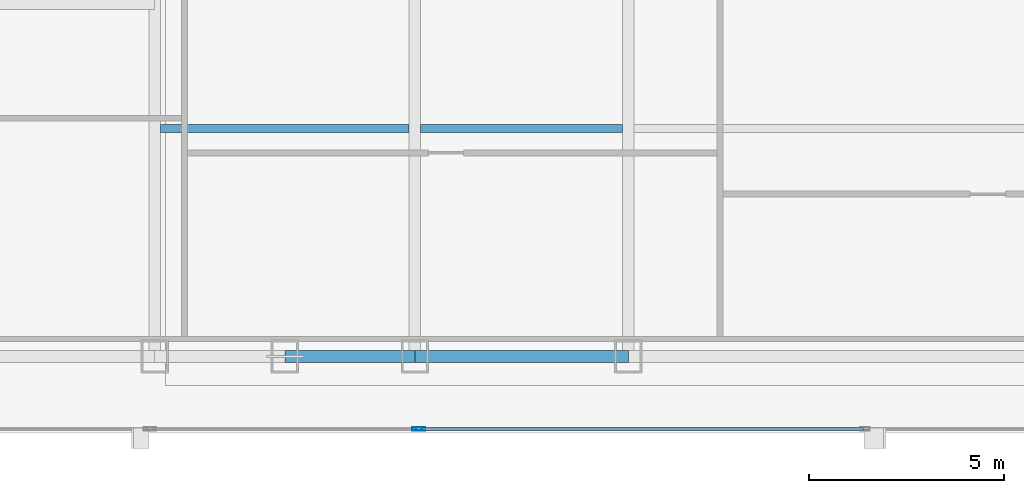
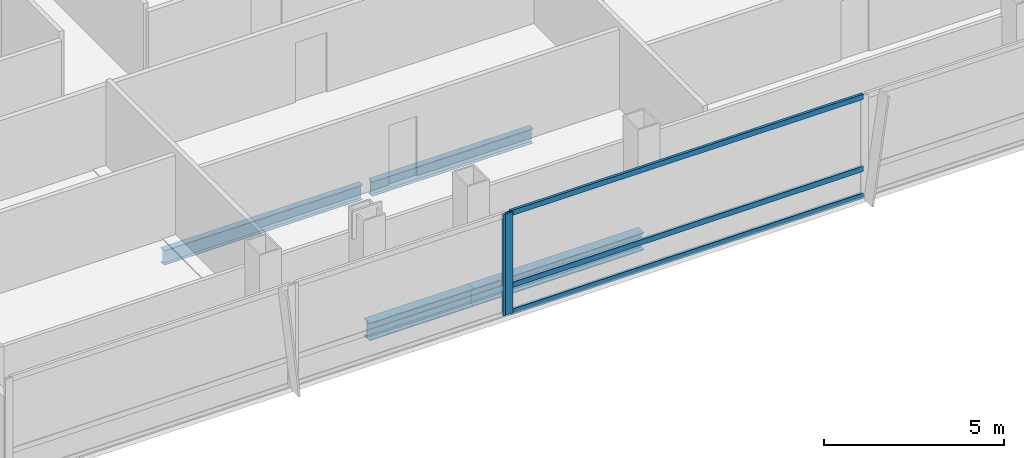
# One storey, part 8 of 29: 5 members, 4 beams, 2 elements without a shape of their own.
"""IFC4 building model written with IfcOpenShell, lengths in metres."""

from ifc_helpers import new_model, si_unit, direction, frame, origin, origin_2d, place, context, subcontext, project, spatial, hollow_rectangle, i_section, extrude, material, material_profile, profile_set, type_object, element, aggregate, save


model = new_model("IFC4")

# Units and contexts
model_context = context("Model", 3, precision=1e-05, world=origin(), true_north=direction((0.0, 1.0)))
body_context = subcontext(model_context, "Body", "Model", "MODEL_VIEW")
ifc_project = project(units=[si_unit("LENGTHUNIT", "METRE"), si_unit("AREAUNIT", "SQUARE_METRE"), si_unit("VOLUMEUNIT", "CUBIC_METRE"), si_unit("PLANEANGLEUNIT", "RADIAN"), si_unit("MASSUNIT", "GRAM", prefix="KILO")], contexts=[model_context])

# Site, building, storey
site_placement = place(None, origin())
site = spatial("IfcSite", under=ifc_project, at=site_placement, CompositionType="ELEMENT")
building_placement = place(site_placement, origin())
building = spatial("IfcBuilding", under=site, at=building_placement, Name="Khoronbel Lancet Exchange", CompositionType="ELEMENT")
storey_placement = place(building_placement, frame((0.0, 0.0, 154.199951171875)))
storey = spatial("IfcBuildingStorey", under=building, at=storey_placement, Name="L38", CompositionType="ELEMENT", Elevation=154.199951171875)

# Beams
ifc_material_1 = material(Name="Steel S355", Category="steel")
ifc_material_profile_1 = material_profile(ifc_material_1, i_section(OverallWidth=0.199951171875, OverallDepth=0.5, WebThickness=0.01025390625, FlangeThickness=0.01611328125, at=origin_2d()), Name="IPE 500")
ifc_profile_set_1 = profile_set([ifc_material_profile_1], Name="Steel S355")
beam_type_1 = type_object("IfcBeamType", Name="BM-BJ3", PredefinedType="JOIST", material=ifc_profile_set_1)
beam_1_placement = place(storey_placement, frame((18.375, 16.0, -0.409912109375), z_axis=(1.0, 0.0, 0.0), x_axis=(0.0, 1.0, 0.0)))
element("IfcBeam", 1, at=beam_1_placement, inside=storey, type_object=beam_type_1, Name="Level L38 secondary composite joist J01", PredefinedType="JOIST", context=body_context, shape_type="SweptSolid", body=[
    extrude(i_section(OverallWidth=0.199951171875, OverallDepth=0.5, WebThickness=0.01025390625, FlangeThickness=0.01611328125, at=origin_2d()), origin(), (0.0, 0.0, 1.0), 6.375),
])
beam_2_placement = place(storey_placement, frame((25.050048828125, 16.0, -0.409912109375), z_axis=(1.0, 0.0, 0.0), x_axis=(0.0, 1.0, 0.0)))
element("IfcBeam", 2, at=beam_2_placement, inside=storey, type_object=beam_type_1, Name="Level L38 secondary composite joist J02", PredefinedType="JOIST", context=body_context, shape_type="SweptSolid", body=[
    extrude(i_section(OverallWidth=0.199951171875, OverallDepth=0.5, WebThickness=0.01025390625, FlangeThickness=0.01611328125, at=origin_2d()), origin(), (0.0, 0.0, 1.0), 5.175048828125),
])
ifc_material_profile_2 = material_profile(ifc_material_1, i_section(OverallWidth=0.300048828125, OverallDepth=0.60009765625, WebThickness=0.015380859375, FlangeThickness=0.030029296875, at=origin_2d()), Name="HEB 600")
ifc_profile_set_2 = profile_set([ifc_material_profile_2], Name="Steel S355")
beam_type_2 = type_object("IfcBeamType", Name="BM-BSP2", PredefinedType="SPANDREL", material=ifc_profile_set_2)
beam_3_placement = place(storey_placement, frame((21.5625, 10.14990234375, -0.4599609375), z_axis=(1.0, 0.0, 0.0), x_axis=(0.0, 1.0, 0.0)))
element("IfcBeam", 3, at=beam_3_placement, inside=storey, type_object=beam_type_2, Name="Level L38 perimeter spandrel beam SP03", PredefinedType="SPANDREL", context=body_context, shape_type="SweptSolid", body=[
    extrude(i_section(OverallWidth=0.300048828125, OverallDepth=0.60009765625, WebThickness=0.015380859375, FlangeThickness=0.030029296875, at=origin_2d()), origin(), (0.0, 0.0, 1.0), 3.33740234375),
])
beam_4_placement = place(storey_placement, frame((24.89990234375, 10.14990234375, -0.4599609375), z_axis=(1.0, 0.0, 0.0), x_axis=(0.0, 1.0, 0.0)))
element("IfcBeam", 4, at=beam_4_placement, inside=storey, type_object=beam_type_2, Name="Level L38 perimeter spandrel beam SP04", PredefinedType="SPANDREL", context=body_context, shape_type="SweptSolid", body=[
    extrude(i_section(OverallWidth=0.300048828125, OverallDepth=0.60009765625, WebThickness=0.015380859375, FlangeThickness=0.030029296875, at=origin_2d()), origin(), (0.0, 0.0, 1.0), 5.47509765625),
])

# Curtain wall, member
ifc_material_2 = material(Name="Low-E Solar Control Insulating Glass", Category="glass")
curtain_wall_type = type_object("IfcCurtainWallType", Name="CW-3", PredefinedType="NOTDEFINED", material=ifc_material_2)
curtain_wall_1_placement = place(storey_placement, origin())
curtain_wall_1 = element("IfcCurtainWall", 5, at=curtain_wall_1_placement, inside=storey, type_object=curtain_wall_type, Name="Unitised curtain wall CW-L38-SWB", PredefinedType="NOTDEFINED")
ifc_material_3 = material(Name="Bronze-Anodised Aluminium 6063-T6", Category="aluminium")
ifc_material_profile_3 = material_profile(ifc_material_3, hollow_rectangle(XDim=0.0849609375, YDim=0.239990234375, WallThickness=0.006103515625, at=origin_2d()), Name="ALU MULLION 85x240")
ifc_profile_set_3 = profile_set([ifc_material_profile_3], Name="Bronze-Anodised Aluminium 6063-T6")
member_type_1 = type_object("IfcMemberType", Name="MEM-CWM1", PredefinedType="MULLION", material=ifc_profile_set_3)
member_1_placement = place(storey_placement, frame((24.95751953125, 8.2900390625, 0.0), z_axis=(0.0, 0.0, 1.0), x_axis=(0.0, 1.0, 0.0)))
member_1 = element("IfcMember", 6, at=member_1_placement, type_object=member_type_1, Name="CW3 mullion 2", PredefinedType="MULLION", context=body_context, shape_type="SweptSolid", body=[
    extrude(hollow_rectangle(XDim=0.0849609375, YDim=0.239990234375, WallThickness=0.006103515625, at=origin_2d()), origin(), (0.0, 0.0, 1.0), 3.43994140625),
])
aggregate(curtain_wall_1, [member_1])

# Curtain wall, members
curtain_wall_2_placement = place(storey_placement, origin())
curtain_wall_2 = element("IfcCurtainWall", 7, at=curtain_wall_2_placement, inside=storey, type_object=curtain_wall_type, Name="Unitised curtain wall CW-L38-SCV", PredefinedType="NOTDEFINED")
member_2_placement = place(storey_placement, frame((25.04248046875, 8.2900390625, 0.0), z_axis=(0.0, 0.0, 1.0), x_axis=(0.0, 1.0, 0.0)))
member_2 = element("IfcMember", 8, at=member_2_placement, type_object=member_type_1, Name="CW3 mullion 1", PredefinedType="MULLION", context=body_context, shape_type="SweptSolid", body=[
    extrude(hollow_rectangle(XDim=0.0849609375, YDim=0.239990234375, WallThickness=0.006103515625, at=origin_2d()), origin(), (0.0, 0.0, 1.0), 3.43994140625),
])
ifc_material_profile_4 = material_profile(ifc_material_3, hollow_rectangle(XDim=0.0849609375, YDim=0.179931640625, WallThickness=0.0048828125, at=origin_2d()), Name="ALU TRANSOM 85x180")
ifc_profile_set_4 = profile_set([ifc_material_profile_4], Name="Bronze-Anodised Aluminium 6063-T6")
member_type_2 = type_object("IfcMemberType", Name="MEM-CWT1", PredefinedType="USERDEFINED", material=ifc_profile_set_4)
member_3_placement = place(storey_placement, frame((25.0849609375, 8.2900390625, 0.04248046875), z_axis=(1.0, 0.0, 0.0), x_axis=(0.0, 1.0, 0.0)))
member_3 = element("IfcMember", 9, at=member_3_placement, type_object=member_type_2, Name="CW3 transom 1.1", ObjectType="TRANSOM", PredefinedType="USERDEFINED", context=body_context, shape_type="SweptSolid", body=[
    extrude(hollow_rectangle(XDim=0.0849609375, YDim=0.179931640625, WallThickness=0.0048828125, at=origin_2d()), origin(), (0.0, 0.0, 1.0), 11.322509765625),
])
member_4_placement = place(storey_placement, frame((25.0849609375, 8.2900390625, 0.949951171875), z_axis=(1.0, 0.0, 0.0), x_axis=(0.0, 1.0, 0.0)))
member_4 = element("IfcMember", 10, at=member_4_placement, type_object=member_type_2, Name="CW3 transom 1.2", ObjectType="TRANSOM", PredefinedType="USERDEFINED", context=body_context, shape_type="SweptSolid", body=[
    extrude(hollow_rectangle(XDim=0.0849609375, YDim=0.179931640625, WallThickness=0.0048828125, at=origin_2d()), origin(), (0.0, 0.0, 1.0), 11.322509765625),
])
member_5_placement = place(storey_placement, frame((25.0849609375, 8.2900390625, 3.3974609375), z_axis=(1.0, 0.0, 0.0), x_axis=(0.0, 1.0, 0.0)))
member_5 = element("IfcMember", 11, at=member_5_placement, type_object=member_type_2, Name="CW3 transom 1.3", ObjectType="TRANSOM", PredefinedType="USERDEFINED", context=body_context, shape_type="SweptSolid", body=[
    extrude(hollow_rectangle(XDim=0.0849609375, YDim=0.179931640625, WallThickness=0.0048828125, at=origin_2d()), origin(), (0.0, 0.0, 1.0), 11.322509765625),
])
aggregate(curtain_wall_2, [member_2, member_3, member_4, member_5])

save(model, "model.ifc")
